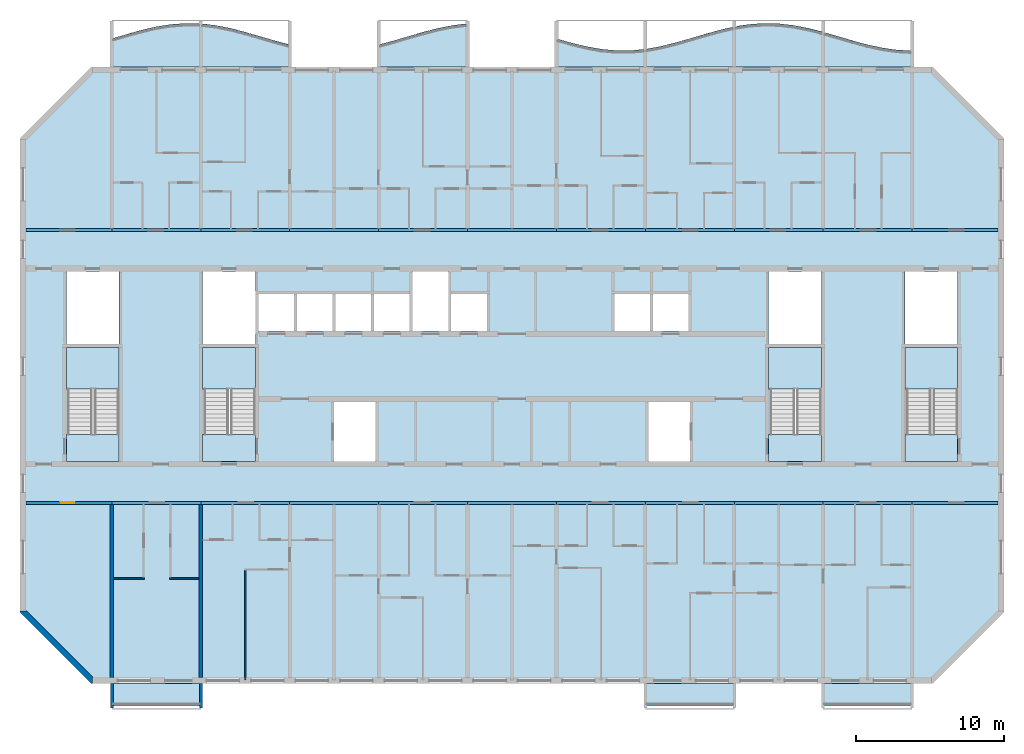
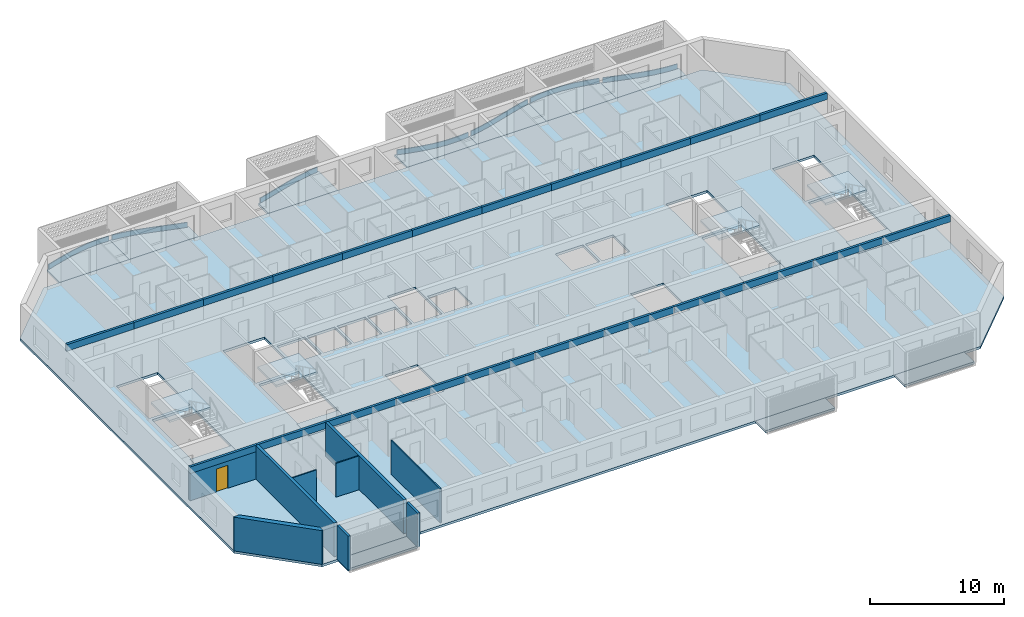
# One storey, part 1 of 28: 22 beams, 19 slabs, 9 walls, 7 plates, 1 door, 1 opening, 4 elements without a shape of their own.
"""IFC4 building model written with IfcOpenShell, lengths in metres."""

from ifc_helpers import new_model, si_unit, direction, frame, frame_2d, origin, origin_2d, place, context, subcontext, project, spatial, polyline, rectangle, outline, extrude, source, transform, mapped, material, layer, layer_set, material_profile, profile_set, type_object, element, fill, aggregate, save


model = new_model("IFC4")

# Units and contexts
model_context = context("Model", 3, precision=1e-05, world=origin(), true_north=direction((0.0, 1.0)))
body_context = subcontext(model_context, "Body", "Model", "MODEL_VIEW")
ifc_project = project(units=[si_unit("LENGTHUNIT", "METRE"), si_unit("AREAUNIT", "SQUARE_METRE"), si_unit("VOLUMEUNIT", "CUBIC_METRE"), si_unit("PLANEANGLEUNIT", "RADIAN"), si_unit("MASSUNIT", "GRAM", prefix="KILO")], contexts=[model_context])

# Site, building, storey
site_placement = place(None, origin())
site = spatial("IfcSite", under=ifc_project, at=site_placement, CompositionType="ELEMENT")
building_placement = place(site_placement, origin())
building = spatial("IfcBuilding", under=site, at=building_placement, Name="Poui Terraces", CompositionType="ELEMENT")
storey_placement = place(building_placement, frame((0.0, 0.0, 181.800048828125)))
storey = spatial("IfcBuildingStorey", under=building, at=storey_placement, Name="L50", CompositionType="ELEMENT", Elevation=181.800048828125)

# Beams
ifc_material_1 = material(Name="Concrete 50 MPa", Category="concrete")
ifc_material_profile = material_profile(ifc_material_1, rectangle(XDim=0.199951171875, YDim=0.60009765625, at=origin_2d()), Name="RC 200x600")
ifc_profile_set = profile_set([ifc_material_profile], Name="Concrete 50 MPa")
beam_type = type_object("IfcBeamType", Name="COUPLING BEAM 200x600 50MPa", PredefinedType="BEAM", material=ifc_profile_set)
shared_shape_1 = source(origin(), body_context, "Body", "SweptSolid", [
    extrude(rectangle(XDim=0.199951171875, YDim=0.60009765625, at=origin_2d()), origin(), (0.0, 0.0, 1.0), 5.800048828125),
])
for number, where, z_axis, x_axis, name in (
    (1, (18.199951171875, 12.0, 2.780029296875), (1.0, 0.0, 0.0), (0.0, 1.0, 0.0), "COUPLING BEAM LINE B BAY 1"),
    (2, (78.0, 12.0, 2.780029296875), (1.0, 0.0, 0.0), (0.0, 1.0, 0.0), "COUPLING BEAM LINE B BAY 11"),
    (3, (18.199951171875, 30.39990234375, 2.780029296875), (1.0, 0.0, 0.0), (0.0, 1.0, 0.0), "COUPLING BEAM LINE E BAY 1"),
    (4, (78.0, 30.39990234375, 2.780029296875), (1.0, 0.0, 0.0), (0.0, 1.0, 0.0), "COUPLING BEAM LINE E BAY 11"),
):
    element("IfcBeam", number, at=place(storey_placement, frame(where, z_axis=z_axis, x_axis=x_axis)), inside=storey, type_object=beam_type, Name=name, PredefinedType="BEAM", context=body_context, shape_type="MappedRepresentation", body=[
        mapped(shared_shape_1, transform((0.0, 0.0, 0.0))),
    ])
shared_shape_2 = source(origin(), body_context, "Body", "SweptSolid", [
    extrude(rectangle(XDim=0.199951171875, YDim=0.60009765625, at=origin_2d()), origin(), (0.0, 0.0, 1.0), 6.0),
])
for number, where, z_axis, x_axis, name in (
    (5, (24.0, 12.0, 2.780029296875), (1.0, 0.0, 0.0), (0.0, 1.0, 0.0), "COUPLING BEAM LINE B BAY 2"),
    (6, (30.0, 12.0, 2.780029296875), (1.0, 0.0, 0.0), (0.0, 1.0, 0.0), "COUPLING BEAM LINE B BAY 3"),
    (7, (36.0, 12.0, 2.780029296875), (1.0, 0.0, 0.0), (0.0, 1.0, 0.0), "COUPLING BEAM LINE B BAY 4"),
    (8, (42.0, 12.0, 2.780029296875), (1.0, 0.0, 0.0), (0.0, 1.0, 0.0), "COUPLING BEAM LINE B BAY 5"),
    (9, (48.0, 12.0, 2.780029296875), (1.0, 0.0, 0.0), (0.0, 1.0, 0.0), "COUPLING BEAM LINE B BAY 6"),
    (10, (54.0, 12.0, 2.780029296875), (1.0, 0.0, 0.0), (0.0, 1.0, 0.0), "COUPLING BEAM LINE B BAY 7"),
    (11, (60.0, 12.0, 2.780029296875), (1.0, 0.0, 0.0), (0.0, 1.0, 0.0), "COUPLING BEAM LINE B BAY 8"),
    (12, (66.0, 12.0, 2.780029296875), (1.0, 0.0, 0.0), (0.0, 1.0, 0.0), "COUPLING BEAM LINE B BAY 9"),
    (13, (72.0, 12.0, 2.780029296875), (1.0, 0.0, 0.0), (0.0, 1.0, 0.0), "COUPLING BEAM LINE B BAY 10"),
    (14, (24.0, 30.39990234375, 2.780029296875), (1.0, 0.0, 0.0), (0.0, 1.0, 0.0), "COUPLING BEAM LINE E BAY 2"),
    (15, (30.0, 30.39990234375, 2.780029296875), (1.0, 0.0, 0.0), (0.0, 1.0, 0.0), "COUPLING BEAM LINE E BAY 3"),
    (16, (36.0, 30.39990234375, 2.780029296875), (1.0, 0.0, 0.0), (0.0, 1.0, 0.0), "COUPLING BEAM LINE E BAY 4"),
    (17, (42.0, 30.39990234375, 2.780029296875), (1.0, 0.0, 0.0), (0.0, 1.0, 0.0), "COUPLING BEAM LINE E BAY 5"),
    (18, (48.0, 30.39990234375, 2.780029296875), (1.0, 0.0, 0.0), (0.0, 1.0, 0.0), "COUPLING BEAM LINE E BAY 6"),
    (19, (54.0, 30.39990234375, 2.780029296875), (1.0, 0.0, 0.0), (0.0, 1.0, 0.0), "COUPLING BEAM LINE E BAY 7"),
    (20, (60.0, 30.39990234375, 2.780029296875), (1.0, 0.0, 0.0), (0.0, 1.0, 0.0), "COUPLING BEAM LINE E BAY 8"),
    (21, (66.0, 30.39990234375, 2.780029296875), (1.0, 0.0, 0.0), (0.0, 1.0, 0.0), "COUPLING BEAM LINE E BAY 9"),
    (22, (72.0, 30.39990234375, 2.780029296875), (1.0, 0.0, 0.0), (0.0, 1.0, 0.0), "COUPLING BEAM LINE E BAY 10"),
):
    element("IfcBeam", number, at=place(storey_placement, frame(where, z_axis=z_axis, x_axis=x_axis)), inside=storey, type_object=beam_type, Name=name, PredefinedType="BEAM", context=body_context, shape_type="MappedRepresentation", body=[
        mapped(shared_shape_2, transform((0.0, 0.0, 0.0))),
    ])

# Slabs
ifc_material_2 = material(Name="Precast concrete 40 MPa", Category="concrete")
ifc_layer_1 = layer(ifc_material_2, 0.199951171875)
ifc_layer_set_1 = layer_set([ifc_layer_1], Name="Precast concrete 40 MPa")
slab_type_1 = type_object("IfcSlabType", Name="BALCONY SLAB 200", PredefinedType="FLOOR", material=ifc_layer_set_1)
slab_1_placement = place(storey_placement, frame((0.0, 0.0, -0.2001953125)))
element("IfcSlab", 23, at=slab_1_placement, inside=storey, type_object=slab_type_1, Name="BALCONY SLAB", PredefinedType="FLOOR", context=body_context, shape_type="SweptSolid", body=[
    extrude(outline(polyline([(24.0, 41.39990234375), (30.0, 41.39990234375), (30.0, 44.322998046875), (29.0, 44.346923828125), (28.0, 44.27587890625), (27.0, 44.117431640625), (26.0, 43.887451171875), (25.0, 43.610107421875), (24.0, 43.3134765625), (24.0, 41.39990234375)])), origin(), (0.0, 0.0, 1.0), 0.2001953125),
])
slab_2_placement = place(storey_placement, frame((0.0, 0.0, -0.2001953125)))
element("IfcSlab", 24, at=slab_2_placement, inside=storey, type_object=slab_type_1, Name="BALCONY SLAB", PredefinedType="FLOOR", context=body_context, shape_type="SweptSolid", body=[
    extrude(outline(polyline([(30.0, 41.39990234375), (36.0, 41.39990234375), (36.0, 42.8994140625), (35.0, 43.16748046875), (34.0, 43.462158203125), (33.0, 43.7529296875), (32.0, 44.010009765625), (31.0, 44.206787109375), (30.0, 44.322998046875), (30.0, 41.39990234375)])), origin(), (0.0, 0.0, 1.0), 0.2001953125),
])
slab_3_placement = place(storey_placement, frame((0.0, 0.0, -0.2001953125)))
element("IfcSlab", 25, at=slab_3_placement, inside=storey, type_object=slab_type_1, Name="BALCONY SLAB", PredefinedType="FLOOR", context=body_context, shape_type="SweptSolid", body=[
    extrude(outline(polyline([(42.0, 41.39990234375), (48.0, 41.39990234375), (48.0, 44.322998046875), (47.0, 44.206787109375), (46.0, 44.010009765625), (45.0, 43.7529296875), (44.0, 43.462158203125), (43.0, 43.16748046875), (42.0, 42.8994140625), (42.0, 41.39990234375)])), origin(), (0.0, 0.0, 1.0), 0.2001953125),
])
slab_4_placement = place(storey_placement, frame((0.0, 0.0, -0.2001953125)))
element("IfcSlab", 26, at=slab_4_placement, inside=storey, type_object=slab_type_1, Name="BALCONY SLAB", PredefinedType="FLOOR", context=body_context, shape_type="SweptSolid", body=[
    extrude(outline(polyline([(54.0, 41.39990234375), (60.0, 41.39990234375), (60.0, 42.60595703125), (59.0, 42.511962890625), (58.0, 42.511962890625), (57.0, 42.60595703125), (56.0, 42.7841796875), (55.0, 43.028564453125), (54.0, 43.3134765625), (54.0, 41.39990234375)])), origin(), (0.0, 0.0, 1.0), 0.2001953125),
])
slab_5_placement = place(storey_placement, frame((0.0, 0.0, -0.2001953125)))
element("IfcSlab", 27, at=slab_5_placement, inside=storey, type_object=slab_type_1, Name="BALCONY SLAB", PredefinedType="FLOOR", context=body_context, shape_type="SweptSolid", body=[
    extrude(outline(polyline([(60.0, 41.39990234375), (66.0, 41.39990234375), (66.0, 44.117431640625), (65.0, 43.887451171875), (64.0, 43.610107421875), (63.0, 43.3134765625), (62.0, 43.028564453125), (61.0, 42.7841796875), (60.0, 42.60595703125), (60.0, 41.39990234375)])), origin(), (0.0, 0.0, 1.0), 0.2001953125),
])
slab_6_placement = place(storey_placement, frame((0.0, 0.0, -0.2001953125)))
element("IfcSlab", 28, at=slab_6_placement, inside=storey, type_object=slab_type_1, Name="BALCONY SLAB", PredefinedType="FLOOR", context=body_context, shape_type="SweptSolid", body=[
    extrude(outline(polyline([(66.0, 41.39990234375), (72.0, 41.39990234375), (72.0, 43.7529296875), (71.0, 44.010009765625), (70.0, 44.206787109375), (69.0, 44.322998046875), (68.0, 44.346923828125), (67.0, 44.27587890625), (66.0, 44.117431640625), (66.0, 41.39990234375)])), origin(), (0.0, 0.0, 1.0), 0.2001953125),
])
slab_7_placement = place(storey_placement, frame((0.0, 0.0, -0.2001953125)))
element("IfcSlab", 29, at=slab_7_placement, inside=storey, type_object=slab_type_1, Name="BALCONY SLAB", PredefinedType="FLOOR", context=body_context, shape_type="SweptSolid", body=[
    extrude(outline(polyline([(72.0, 41.39990234375), (78.0, 41.39990234375), (78.0, 42.5), (77.0, 42.547607421875), (76.0, 42.685546875), (75.0, 42.8994140625), (74.0, 43.16748046875), (73.0, 43.462158203125), (72.0, 43.7529296875), (72.0, 41.39990234375)])), origin(), (0.0, 0.0, 1.0), 0.2001953125),
])

# Stair, slabs
stair_type = type_object("IfcStairType", Name="EXIT STAIR 1650 50 MPA", PredefinedType="HALF_TURN_STAIR", material=ifc_material_1)
stair_1_placement = place(storey_placement, origin())
stair_1 = element("IfcStair", 30, at=stair_1_placement, inside=storey, type_object=stair_type, Name="L50 CORE STAIR EAST", PredefinedType="HALF_TURN_STAIR")
ifc_layer_2 = layer(ifc_material_1, 0.199951171875)
ifc_layer_set_2 = layer_set([ifc_layer_2], Name="Concrete 50 MPa")
slab_type_2 = type_object("IfcSlabType", Name="STAIR LANDING 200 50 MPA", PredefinedType="LANDING", material=ifc_layer_set_2)
slab_8_placement = place(storey_placement, frame((0.0, 0.0, 1.449951171875)))
slab_8 = element("IfcSlab", 31, at=slab_8_placement, type_object=slab_type_2, Name="ST-CE landing 1", PredefinedType="LANDING", context=body_context, shape_type="SweptSolid", body=[
    extrude(outline(polyline([(68.324951171875, 19.679931640625), (71.875, 19.679931640625), (71.875, 22.47509765625), (68.324951171875, 22.47509765625), (68.324951171875, 19.679931640625)])), origin(), (0.0, 0.0, 1.0), 0.199951171875),
])
slab_9_placement = place(storey_placement, frame((0.0, 0.0, -0.2001953125)))
slab_9 = element("IfcSlab", 32, at=slab_9_placement, type_object=slab_type_2, Name="ST-CE landing 2", PredefinedType="LANDING", context=body_context, shape_type="SweptSolid", body=[
    extrude(outline(polyline([(68.324951171875, 14.800048828125), (71.875, 14.800048828125), (71.875, 16.60009765625), (68.324951171875, 16.60009765625), (68.324951171875, 14.800048828125)])), origin(), (0.0, 0.0, 1.0), 0.2001953125),
])
aggregate(stair_1, [slab_8, slab_9])

stair_2_placement = place(storey_placement, origin())
stair_2 = element("IfcStair", 33, at=stair_2_placement, inside=storey, type_object=stair_type, Name="L50 CORE STAIR WEST", PredefinedType="HALF_TURN_STAIR")
slab_10_placement = place(storey_placement, frame((0.0, 0.0, 1.449951171875)))
slab_10 = element("IfcSlab", 34, at=slab_10_placement, type_object=slab_type_2, Name="ST-CW landing 1", PredefinedType="LANDING", context=body_context, shape_type="SweptSolid", body=[
    extrude(outline(polyline([(30.125, 19.679931640625), (33.675048828125, 19.679931640625), (33.675048828125, 22.47509765625), (30.125, 22.47509765625), (30.125, 19.679931640625)])), origin(), (0.0, 0.0, 1.0), 0.199951171875),
])
slab_11_placement = place(storey_placement, frame((0.0, 0.0, -0.2001953125)))
slab_11 = element("IfcSlab", 35, at=slab_11_placement, type_object=slab_type_2, Name="ST-CW landing 2", PredefinedType="LANDING", context=body_context, shape_type="SweptSolid", body=[
    extrude(outline(polyline([(30.125, 14.800048828125), (33.675048828125, 14.800048828125), (33.675048828125, 16.60009765625), (30.125, 16.60009765625), (30.125, 14.800048828125)])), origin(), (0.0, 0.0, 1.0), 0.2001953125),
])
aggregate(stair_2, [slab_10, slab_11])

stair_3_placement = place(storey_placement, origin())
stair_3 = element("IfcStair", 36, at=stair_3_placement, inside=storey, type_object=stair_type, Name="L50 TIP STAIR EAST", PredefinedType="HALF_TURN_STAIR")
slab_12_placement = place(storey_placement, frame((0.0, 0.0, 1.449951171875)))
slab_12 = element("IfcSlab", 37, at=slab_12_placement, type_object=slab_type_2, Name="ST-E landing 1", PredefinedType="LANDING", context=body_context, shape_type="SweptSolid", body=[
    extrude(outline(polyline([(77.52490234375, 19.679931640625), (81.074951171875, 19.679931640625), (81.074951171875, 22.47509765625), (77.52490234375, 22.47509765625), (77.52490234375, 19.679931640625)])), origin(), (0.0, 0.0, 1.0), 0.199951171875),
])
slab_13_placement = place(storey_placement, frame((0.0, 0.0, -0.2001953125)))
slab_13 = element("IfcSlab", 38, at=slab_13_placement, type_object=slab_type_2, Name="ST-E landing 2", PredefinedType="LANDING", context=body_context, shape_type="SweptSolid", body=[
    extrude(outline(polyline([(77.52490234375, 14.800048828125), (81.074951171875, 14.800048828125), (81.074951171875, 16.60009765625), (77.52490234375, 16.60009765625), (77.52490234375, 14.800048828125)])), origin(), (0.0, 0.0, 1.0), 0.2001953125),
])
aggregate(stair_3, [slab_12, slab_13])

stair_4_placement = place(storey_placement, origin())
stair_4 = element("IfcStair", 39, at=stair_4_placement, inside=storey, type_object=stair_type, Name="L50 TIP STAIR WEST", PredefinedType="HALF_TURN_STAIR")
slab_14_placement = place(storey_placement, frame((0.0, 0.0, 1.449951171875)))
slab_14 = element("IfcSlab", 40, at=slab_14_placement, type_object=slab_type_2, Name="ST-W landing 1", PredefinedType="LANDING", context=body_context, shape_type="SweptSolid", body=[
    extrude(outline(polyline([(20.925048828125, 19.679931640625), (24.47509765625, 19.679931640625), (24.47509765625, 22.47509765625), (20.925048828125, 22.47509765625), (20.925048828125, 19.679931640625)])), origin(), (0.0, 0.0, 1.0), 0.199951171875),
])
slab_15_placement = place(storey_placement, frame((0.0, 0.0, -0.2001953125)))
slab_15 = element("IfcSlab", 41, at=slab_15_placement, type_object=slab_type_2, Name="ST-W landing 2", PredefinedType="LANDING", context=body_context, shape_type="SweptSolid", body=[
    extrude(outline(polyline([(20.925048828125, 14.800048828125), (24.47509765625, 14.800048828125), (24.47509765625, 16.60009765625), (20.925048828125, 16.60009765625), (20.925048828125, 14.800048828125)])), origin(), (0.0, 0.0, 1.0), 0.2001953125),
])
aggregate(stair_4, [slab_14, slab_15])

# Plates
ifc_layer_3 = layer(ifc_material_2, 0.080078125)
ifc_layer_set_3 = layer_set([ifc_layer_3], Name="Precast concrete 40 MPa")
plate_type = type_object("IfcPlateType", Name="SUNSHADE UPSTAND 80", PredefinedType="SHEET", material=ifc_layer_set_3)
plate_1_placement = place(storey_placement, origin())
element("IfcPlate", 42, at=plate_1_placement, inside=storey, type_object=plate_type, Name="SUNSHADE UPSTAND", PredefinedType="SHEET", context=body_context, shape_type="SweptSolid", body=[
    extrude(outline(polyline([(24.989013671875, 43.603515625), (24.113525390625, 43.343994140625), (24.136474609375, 43.26708984375), (25.010986328125, 43.526611328125), (26.009765625, 43.8037109375), (27.007568359375, 44.033203125), (28.004638671875, 44.191162109375), (29.001220703125, 44.261962890625), (29.874267578125, 44.246337890625), (29.875732421875, 44.326171875), (29.840087890625, 44.326904296875), (28.998779296875, 44.342041015625), (27.995361328125, 44.270751953125), (26.992431640625, 44.11181640625), (25.990234375, 43.88134765625), (24.989013671875, 43.603515625)])), origin(), (0.0, 0.0, 1.0), 0.449951171875),
])
plate_2_placement = place(storey_placement, origin())
element("IfcPlate", 43, at=plate_2_placement, inside=storey, type_object=plate_type, Name="SUNSHADE UPSTAND", PredefinedType="SHEET", context=body_context, shape_type="SweptSolid", body=[
    extrude(outline(polyline([(31.00634765625, 44.201416015625), (30.15966796875, 44.304443359375), (30.1298828125, 44.30810546875), (30.1201171875, 44.228759765625), (30.99365234375, 44.122314453125), (31.9912109375, 43.926025390625), (32.989501953125, 43.66943359375), (33.98876953125, 43.37890625), (34.989013671875, 43.084228515625), (35.864501953125, 42.846923828125), (35.885498046875, 42.92431640625), (35.010986328125, 43.1611328125), (34.01123046875, 43.45556640625), (33.010498046875, 43.74658203125), (32.0087890625, 44.00390625), (31.00634765625, 44.201416015625)])), origin(), (0.0, 0.0, 1.0), 0.449951171875),
])
plate_3_placement = place(storey_placement, origin())
element("IfcPlate", 44, at=plate_3_placement, inside=storey, type_object=plate_type, Name="SUNSHADE UPSTAND", PredefinedType="SHEET", context=body_context, shape_type="SweptSolid", body=[
    extrude(outline(polyline([(42.989013671875, 43.1611328125), (42.114501953125, 42.92431640625), (42.135498046875, 42.846923828125), (43.010986328125, 43.084228515625), (44.01123046875, 43.37890625), (45.010498046875, 43.66943359375), (46.0087890625, 43.926025390625), (47.00634765625, 44.122314453125), (47.8798828125, 44.228759765625), (47.8701171875, 44.30810546875), (47.84033203125, 44.304443359375), (46.99365234375, 44.201416015625), (45.9912109375, 44.00390625), (44.989501953125, 43.74658203125), (43.98876953125, 43.45556640625), (42.989013671875, 43.1611328125)])), origin(), (0.0, 0.0, 1.0), 0.449951171875),
])
plate_4_placement = place(storey_placement, origin())
element("IfcPlate", 45, at=plate_4_placement, inside=storey, type_object=plate_type, Name="SUNSHADE UPSTAND", PredefinedType="SHEET", context=body_context, shape_type="SweptSolid", body=[
    extrude(outline(polyline([(55.01025390625, 43.022216796875), (54.135986328125, 43.27001953125), (54.114013671875, 43.193115234375), (54.98974609375, 42.94482421875), (55.99169921875, 42.7001953125), (56.99462890625, 42.521240234375), (57.998046875, 42.427001953125), (59.001708984375, 42.427001953125), (59.87841796875, 42.50439453125), (59.87158203125, 42.584228515625), (58.998291015625, 42.507080078125), (58.001953125, 42.507080078125), (57.00537109375, 42.6005859375), (56.00830078125, 42.7783203125), (55.01025390625, 43.022216796875)])), origin(), (0.0, 0.0, 1.0), 0.449951171875),
])
plate_5_placement = place(storey_placement, origin())
element("IfcPlate", 46, at=plate_5_placement, inside=storey, type_object=plate_type, Name="SUNSHADE UPSTAND", PredefinedType="SHEET", context=body_context, shape_type="SweptSolid", body=[
    extrude(outline(polyline([(60.99169921875, 42.7783203125), (60.117919921875, 42.618408203125), (60.132080078125, 42.53955078125), (61.00830078125, 42.7001953125), (62.01025390625, 42.94482421875), (63.01123046875, 43.22998046875), (64.010986328125, 43.526611328125), (65.010009765625, 43.8037109375), (65.884033203125, 44.00830078125), (65.865966796875, 44.086181640625), (64.989990234375, 43.88134765625), (63.989013671875, 43.603515625), (62.98876953125, 43.306884765625), (61.98974609375, 43.022216796875), (60.99169921875, 42.7783203125)])), origin(), (0.0, 0.0, 1.0), 0.449951171875),
])
plate_6_placement = place(storey_placement, origin())
element("IfcPlate", 47, at=plate_6_placement, inside=storey, type_object=plate_type, Name="SUNSHADE UPSTAND", PredefinedType="SHEET", context=body_context, shape_type="SweptSolid", body=[
    extrude(outline(polyline([(66.99560546875, 44.270751953125), (66.118896484375, 44.135986328125), (66.131103515625, 44.056884765625), (67.00439453125, 44.191162109375), (68.0009765625, 44.261962890625), (68.997314453125, 44.23828125), (69.993896484375, 44.122314453125), (70.9912109375, 43.926025390625), (71.864990234375, 43.703857421875), (71.885009765625, 43.78125), (71.0087890625, 44.00390625), (70.006103515625, 44.201416015625), (69.002685546875, 44.318115234375), (67.9990234375, 44.342041015625), (66.99560546875, 44.270751953125)])), origin(), (0.0, 0.0, 1.0), 0.449951171875),
])
plate_7_placement = place(storey_placement, origin())
element("IfcPlate", 48, at=plate_7_placement, inside=storey, type_object=plate_type, Name="SUNSHADE UPSTAND", PredefinedType="SHEET", context=body_context, shape_type="SweptSolid", body=[
    extrude(outline(polyline([(73.01123046875, 43.45556640625), (72.13623046875, 43.711181640625), (72.11376953125, 43.634521484375), (72.98876953125, 43.37890625), (73.9892578125, 43.083984375), (74.990478515625, 42.815673828125), (75.9931640625, 42.60107421875), (76.99609375, 42.462890625), (77.872802734375, 42.415771484375), (77.877197265625, 42.49560546875), (77.00390625, 42.54248046875), (76.0068359375, 42.679931640625), (75.009521484375, 42.893310546875), (74.0107421875, 43.1611328125), (73.01123046875, 43.45556640625)])), origin(), (0.0, 0.0, 1.0), 0.449951171875),
])

# Slabs
ifc_material_3 = material(Name="Concrete 40 MPa", Category="concrete")
ifc_layer_4 = layer(ifc_material_3, 0.219970703125)
ifc_layer_set_4 = layer_set([ifc_layer_4], Name="Concrete 40 MPa")
slab_type_3 = type_object("IfcSlabType", Name="FLOOR SLAB 220", PredefinedType="FLOOR", material=ifc_layer_set_4)
shared_shape_3 = source(origin(), body_context, "Body", "SweptSolid", [
    extrude(outline(polyline([(0.0, 0.0), (4.800048828125, -4.800048828125), (61.599853515625, -4.800048828125), (66.39990234375, 0.0), (66.39990234375, 32.0), (61.599853515625, 36.7998046875), (4.800048828125, 36.7998046875), (0.0, 32.0), (0.0, 0.0)]), holes=[polyline([(21.199951171875, 10.199951171875), (21.199951171875, 14.199951171875), (24.0, 14.199951171875), (24.0, 10.199951171875), (21.199951171875, 10.199951171875)]), polyline([(3.224853515625, 17.849853515625), (6.675048828125, 17.849853515625), (6.675048828125, 12.0), (6.675048828125, 10.199951171875), (3.125, 10.199951171875), (3.125, 12.0), (3.224853515625, 12.0), (3.224853515625, 17.849853515625)]), polyline([(12.425048828125, 17.849853515625), (15.875, 17.849853515625), (15.875, 12.0), (15.875, 10.199951171875), (12.324951171875, 10.199951171875), (12.324951171875, 12.0), (12.425048828125, 12.0), (12.425048828125, 17.849853515625)]), polyline([(16.099853515625, 19.0), (16.099853515625, 21.5), (18.5, 21.5), (18.5, 19.0), (16.099853515625, 19.0)]), polyline([(18.699951171875, 19.0), (18.699951171875, 21.5), (21.099853515625, 21.5), (21.099853515625, 19.0), (18.699951171875, 19.0)]), polyline([(21.300048828125, 19.0), (21.300048828125, 21.5), (23.699951171875, 21.5), (23.699951171875, 19.0), (21.300048828125, 19.0)]), polyline([(23.89990234375, 19.0), (23.89990234375, 21.5), (26.300048828125, 21.5), (26.300048828125, 19.0), (23.89990234375, 19.0)]), polyline([(3.125, 23.0), (6.675048828125, 23.0), (6.675048828125, 18.125), (3.125, 18.125), (3.125, 23.0)]), polyline([(12.324951171875, 23.0), (15.875, 23.0), (15.875, 18.125), (12.324951171875, 18.125), (12.324951171875, 23.0)]), polyline([(42.39990234375, 10.199951171875), (42.39990234375, 14.199951171875), (45.199951171875, 14.199951171875), (45.199951171875, 10.199951171875), (42.39990234375, 10.199951171875)]), polyline([(50.625, 17.849853515625), (54.074951171875, 17.849853515625), (54.074951171875, 12.0), (54.074951171875, 10.199951171875), (50.52490234375, 10.199951171875), (50.52490234375, 12.0), (50.625, 12.0), (50.625, 17.849853515625)]), polyline([(59.824951171875, 17.849853515625), (63.27490234375, 17.849853515625), (63.27490234375, 12.0), (63.27490234375, 10.199951171875), (59.724853515625, 10.199951171875), (59.724853515625, 12.0), (59.824951171875, 12.0), (59.824951171875, 17.849853515625)]), polyline([(29.099853515625, 19.0), (29.099853515625, 21.5), (31.5, 21.5), (31.5, 19.0), (29.099853515625, 19.0)]), polyline([(40.099853515625, 19.0), (40.099853515625, 21.5), (42.5, 21.5), (42.5, 19.0), (40.099853515625, 19.0)]), polyline([(42.699951171875, 19.0), (42.699951171875, 21.5), (45.099853515625, 21.5), (45.099853515625, 19.0), (42.699951171875, 19.0)]), polyline([(50.52490234375, 18.125), (50.52490234375, 23.0), (54.074951171875, 23.0), (54.074951171875, 18.125), (50.52490234375, 18.125)]), polyline([(59.724853515625, 23.0), (63.27490234375, 23.0), (63.27490234375, 18.125), (59.724853515625, 18.125), (59.724853515625, 23.0)]), polyline([(26.5, 23.0), (28.89990234375, 23.0), (28.89990234375, 19.0), (26.5, 19.0), (26.5, 23.0)])]), origin(), (0.0, 0.0, 1.0), 0.22021484375),
])
slab_16_placement = place(storey_placement, frame((17.800048828125, 4.60009765625, -0.22021484375)))
element("IfcSlab", 49, at=slab_16_placement, inside=storey, type_object=slab_type_3, Name="FLOOR SLAB", PredefinedType="FLOOR", context=body_context, shape_type="MappedRepresentation", body=[
    mapped(shared_shape_3, transform((0.0, 0.0, 0.0))),
])
ifc_layer_5 = layer(ifc_material_2, 0.199951171875)
ifc_layer_set_5 = layer_set([ifc_layer_5], Name="Precast concrete 40 MPa")
slab_type_4 = type_object("IfcSlabType", Name="REAR BALCONY SLAB 200", PredefinedType="FLOOR", material=ifc_layer_set_5)
shared_shape_4 = source(origin(), body_context, "Body", "SweptSolid", [
    extrude(outline(polyline([(0.0, 0.0), (6.0, 0.0), (6.0, 1.5), (0.0, 1.5), (0.0, 0.0)])), origin(), (0.0, 0.0, 1.0), 0.2001953125),
])
for number, where, name in (
    (50, (24.0, -1.699951171875, -0.2001953125), "REAR BALCONY SLAB"),
    (51, (60.0, -1.699951171875, -0.2001953125), "REAR BALCONY SLAB"),
    (52, (72.0, -1.699951171875, -0.2001953125), "REAR BALCONY SLAB"),
):
    element("IfcSlab", number, at=place(storey_placement, frame(where)), inside=storey, type_object=slab_type_4, Name=name, PredefinedType="FLOOR", context=body_context, shape_type="MappedRepresentation", body=[
        mapped(shared_shape_4, transform((0.0, 0.0, 0.0))),
    ])

# Wall, opening, door
ifc_layer_6 = layer(ifc_material_1, 0.199951171875)
ifc_layer_set_6 = layer_set([ifc_layer_6], Name="Concrete 50 MPa")
wall_type_1 = type_object("IfcWallType", Name="CORRIDOR WALL 200 50MPa", PredefinedType="SHEAR", material=ifc_layer_set_6)
wall_1_placement = place(storey_placement, frame((18.199951171875, 12.0, 0.0), z_axis=(0.0, 0.0, 1.0), x_axis=(1.0, 0.0, 0.0)))
wall_1 = element("IfcWall", 53, at=wall_1_placement, inside=storey, type_object=wall_type_1, Name="CORRIDOR WALL LINE B BAY 1", PredefinedType="SHEAR", context=body_context, shape_type="SweptSolid", body=[
    extrude(rectangle(XDim=5.800048828125, YDim=0.199951171875, at=frame_2d((2.89990234375, 0.0))), origin(), (0.0, 0.0, 1.0), 2.47998046875),
])
opening_placement = place(wall_1_placement, frame((2.300048828125, 0.0, 0.0)))
opening = element("IfcOpeningElement", 54, at=opening_placement, cuts=wall_1, Name="Opening D100", PredefinedType="OPENING", context=body_context, shape_type="SweptSolid", body=[
    extrude(rectangle(XDim=1.0, YDim=2.10009765625, at=frame_2d((0.5, 1.050048828125))), frame((0.0, 0.10986328125, 0.0), z_axis=(0.0, -1.0, 0.0), x_axis=(1.0, 0.0, 0.0)), (0.0, 0.0, 1.0), 0.219970703125),
])
ifc_material_4 = material(Name="Solid core timber door", Category="wood")
door_type = type_object("IfcDoorType", Name="ACCESSIBLE INTERNAL DOOR 1000 X 2100", OperationType="NOTDEFINED", PredefinedType="DOOR", material=ifc_material_4)
door_placement = place(opening_placement, frame((1.0, 0.0, 0.0), z_axis=(0.0, 0.0, 1.0), x_axis=(-1.0, 0.0, 0.0)))
door = element("IfcDoor", 55, at=door_placement, inside=storey, type_object=door_type, Name="ACCESSIBLE INTERNAL DOOR 064", OperationType="SINGLE_SWING_RIGHT", OverallHeight=2.10009765625, OverallWidth=1.0, PredefinedType="DOOR", context=body_context, shape_type="SweptSolid", body=[
    extrude(rectangle(XDim=1.0, YDim=2.10009765625, at=frame_2d((0.5, 1.050048828125))), frame((0.0, 0.02490234375, 0.0), z_axis=(0.0, -1.0, 0.0), x_axis=(1.0, 0.0, 0.0)), (0.0, 0.0, 1.0), 0.050048828125),
])
fill(opening, door)

# Walls
ifc_layer_7 = layer(ifc_material_1, 0.25)
ifc_layer_set_7 = layer_set([ifc_layer_7], Name="Concrete 50 MPa")
wall_type_2 = type_object("IfcWallType", Name="CROSS WALL 250 50MPa", PredefinedType="SHEAR", material=ifc_layer_set_7)
for number, where, z_axis, x_axis, name in (
    (56, (24.0, 0.199951171875, 0.0), (0.0, 0.0, 1.0), (0.0, 1.0, 0.0), "CROSS WALL LINE 5 SOUTH"),
    (57, (30.0, 0.199951171875, 0.0), (0.0, 0.0, 1.0), (0.0, 1.0, 0.0), "CROSS WALL LINE 6 SOUTH"),
):
    element("IfcWall", number, at=place(storey_placement, frame(where, z_axis=z_axis, x_axis=x_axis)), inside=storey, type_object=wall_type_2, Name=name, PredefinedType="SHEAR", context=body_context, shape_type="SweptSolid", body=[
        extrude(rectangle(XDim=11.699951171875, YDim=0.25, at=frame_2d((5.85009765625, 0.0))), origin(), (0.0, 0.0, 1.0), 3.079833984375),
    ])
ifc_material_5 = material(Name="Plasterboard partition")
ifc_layer_8 = layer(ifc_material_5, 0.10009765625)
ifc_layer_set_8 = layer_set([ifc_layer_8], Name="Plasterboard partition")
wall_type_3 = type_object("IfcWallType", Name="FLAT PARTITION 100", PredefinedType="PARTITIONING", material=ifc_layer_set_8)
wall_2_placement = place(storey_placement, frame((24.135009765625, 6.89990234375, 0.0), z_axis=(0.0, 0.0, 1.0), x_axis=(1.0, 0.0, 0.0)))
element("IfcWall", 58, at=wall_2_placement, inside=storey, type_object=wall_type_3, Name="FLAT PARTITION 100", PredefinedType="PARTITIONING", context=body_context, shape_type="SweptSolid", body=[
    extrude(rectangle(XDim=2.06494140625, YDim=0.10009765625, at=frame_2d((1.032470703125, 0.0))), origin(), (0.0, 0.0, 1.0), 3.079833984375),
])
wall_3_placement = place(storey_placement, frame((27.89990234375, 6.89990234375, 0.0), z_axis=(0.0, 0.0, 1.0), x_axis=(1.0, 0.0, 0.0)))
element("IfcWall", 59, at=wall_3_placement, inside=storey, type_object=wall_type_3, Name="FLAT PARTITION 100", PredefinedType="PARTITIONING", context=body_context, shape_type="SweptSolid", body=[
    extrude(rectangle(XDim=1.965087890625, YDim=0.10009765625, at=frame_2d((0.982421875, 0.0))), origin(), (0.0, 0.0, 1.0), 3.079833984375),
])
wall_4_placement = place(storey_placement, frame((33.0, 0.06005859375, 0.0), z_axis=(0.0, 0.0, 1.0), x_axis=(0.0, 1.0, 0.0)))
element("IfcWall", 60, at=wall_4_placement, inside=storey, type_object=wall_type_3, Name="FLAT PARTITION 100", PredefinedType="PARTITIONING", context=body_context, shape_type="SweptSolid", body=[
    extrude(rectangle(XDim=7.389892578125, YDim=0.10009765625, at=frame_2d((3.69482421875, 0.0))), origin(), (0.0, 0.0, 1.0), 3.079833984375),
])
ifc_layer_9 = layer(ifc_material_2, 0.39990234375)
ifc_layer_set_9 = layer_set([ifc_layer_9], Name="Precast concrete 40 MPa")
wall_type_4 = type_object("IfcWallType", Name="TERRACOTTA CLAD CHAMFER WALL 400", PredefinedType="STANDARD", material=ifc_layer_set_9)
wall_5_placement = place(storey_placement, origin())
element("IfcWall", 61, at=wall_5_placement, inside=storey, type_object=wall_type_4, Name="CHAMFER WALL CH07", PredefinedType="STANDARD", context=body_context, shape_type="SweptSolid", body=[
    extrude(outline(polyline([(17.800048828125, 4.682861328125), (17.800048828125, 4.60009765625), (22.60009765625, -0.199951171875), (22.682861328125, -0.199951171875), (22.682861328125, 0.28271484375), (18.28271484375, 4.682861328125), (17.800048828125, 4.682861328125)])), origin(), (0.0, 0.0, 1.0), 3.079833984375),
])
ifc_layer_10 = layer(ifc_material_2, 0.199951171875)
ifc_layer_set_10 = layer_set([ifc_layer_10], Name="Precast concrete 40 MPa")
wall_type_5 = type_object("IfcWallType", Name="REAR FIN 200", PredefinedType="STANDARD", material=ifc_layer_set_10)
shared_shape_5 = source(origin(), body_context, "Body", "SweptSolid", [
    extrude(outline(polyline([(0.0, 0.0), (0.2001953125, 0.0), (0.2001953125, 1.650146484375), (0.0, 1.650146484375), (0.0, 0.0)])), origin(), (0.0, 0.0, 1.0), 3.099853515625),
])
for number, where, name in (
    (62, (23.89990234375, -1.85009765625, 0.0), "REAR FIN"),
    (63, (29.89990234375, -1.85009765625, 0.0), "REAR FIN"),
):
    element("IfcWall", number, at=place(storey_placement, frame(where)), inside=storey, type_object=wall_type_5, Name=name, PredefinedType="STANDARD", context=body_context, shape_type="MappedRepresentation", body=[
        mapped(shared_shape_5, transform((0.0, 0.0, 0.0))),
    ])

save(model, "model.ifc")
